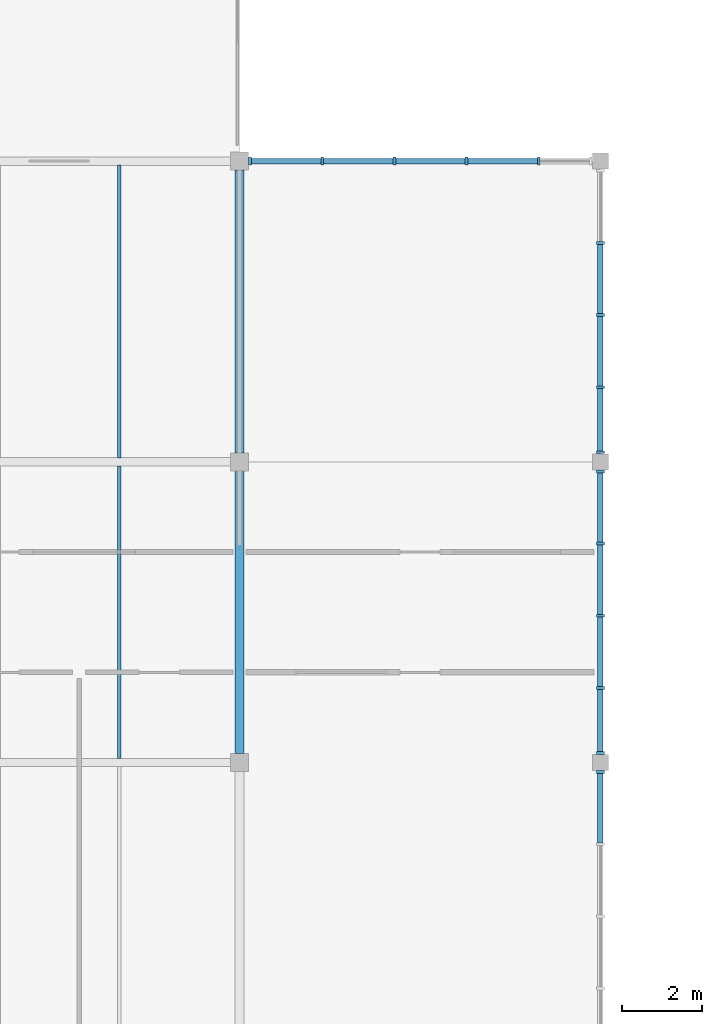
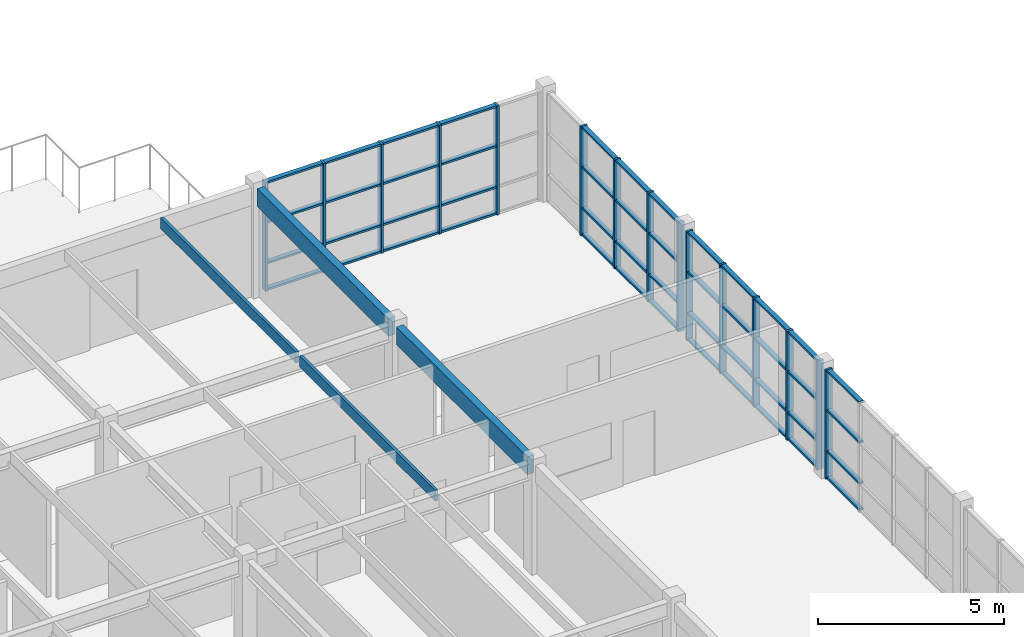
# One storey, part 6 of 45: 63 members, 4 beams, 4 elements without a shape of their own.
"""IFC4 building model written with IfcOpenShell, lengths in metres."""

from ifc_helpers import new_model, si_unit, direction, frame, origin, origin_2d, place, context, subcontext, project, spatial, rectangle, extrude, material, layer, layer_set, material_profile, profile_set, type_object, element, aggregate, save


model = new_model("IFC4")

# Units and contexts
model_context = context("Model", 3, precision=1e-05, world=origin(), true_north=direction((0.0, 1.0)))
body_context = subcontext(model_context, "Body", "Model", "MODEL_VIEW")
ifc_project = project(units=[si_unit("LENGTHUNIT", "METRE"), si_unit("AREAUNIT", "SQUARE_METRE"), si_unit("VOLUMEUNIT", "CUBIC_METRE"), si_unit("PLANEANGLEUNIT", "RADIAN"), si_unit("MASSUNIT", "GRAM", prefix="KILO")], contexts=[model_context])

# Site, building, storey
site_placement = place(None, origin())
site = spatial("IfcSite", under=ifc_project, at=site_placement, CompositionType="ELEMENT")
building_placement = place(site_placement, origin())
building = spatial("IfcBuilding", under=site, at=building_placement, Name="Marnridge Secondary College", CompositionType="ELEMENT")
storey_placement = place(building_placement, frame((0.0, 0.0, 12.300048828125)))
storey = spatial("IfcBuildingStorey", under=building, at=storey_placement, Name="L03", CompositionType="ELEMENT", Elevation=12.300048828125)

# Beams
ifc_material_1 = material(Name="Glulam timber GL18", Category="wood")
ifc_material_profile_1 = material_profile(ifc_material_1, rectangle(XDim=0.215087890625, YDim=0.5849609375, at=origin_2d()), Name="GL18 215x585")
ifc_profile_set_1 = profile_set([ifc_material_profile_1], Name="Glulam timber GL18")
beam_type_1 = type_object("IfcBeamType", Name="BM-GL585-EXT", PredefinedType="SPANDREL", material=ifc_profile_set_1)
for number, where, z_axis, x_axis, name in (
    (1, (36.0, 15.218994140625, 3.29736328125), (0.0, 1.0, 0.0), (-1.0, 0.0, 0.0), "Beam BS-L03-1146"),
    (2, (36.0, 22.718994140625, 3.29736328125), (0.0, 1.0, 0.0), (-1.0, 0.0, 0.0), "Beam BS-L03-1148"),
):
    element("IfcBeam", number, at=place(storey_placement, frame(where, z_axis=z_axis, x_axis=x_axis)), inside=storey, type_object=beam_type_1, Name=name, PredefinedType="SPANDREL", context=body_context, shape_type="SweptSolid", body=[
        extrude(rectangle(XDim=0.215087890625, YDim=0.5849609375, at=origin_2d()), origin(), (0.0, 0.0, 1.0), 7.06201171875),
    ])
ifc_material_2 = material(Name="Engineered timber LVL E13.2", Category="wood")
ifc_material_profile_2 = material_profile(ifc_material_2, rectangle(XDim=0.090087890625, YDim=0.360107421875, at=origin_2d()), Name="LVL 90x360")
ifc_profile_set_2 = profile_set([ifc_material_profile_2], Name="Engineered timber LVL E13.2")
beam_type_2 = type_object("IfcBeamType", Name="BM-LVL360-INT", PredefinedType="JOIST", material=ifc_profile_set_2)
beam_1_placement = place(storey_placement, frame((33.0, 15.098388671875, 3.409912109375), z_axis=(0.0, 1.0, 0.0), x_axis=(-1.0, 0.0, 0.0)))
element("IfcBeam", 3, at=beam_1_placement, inside=storey, type_object=beam_type_2, Name="Beam BJ-L03-1180", PredefinedType="JOIST", context=body_context, shape_type="SweptSolid", body=[
    extrude(rectangle(XDim=0.090087890625, YDim=0.360107421875, at=origin_2d()), origin(), (0.0, 0.0, 1.0), 7.30322265625),
])
beam_2_placement = place(storey_placement, frame((33.0, 22.598388671875, 3.409912109375), z_axis=(0.0, 1.0, 0.0), x_axis=(-1.0, 0.0, 0.0)))
element("IfcBeam", 4, at=beam_2_placement, inside=storey, type_object=beam_type_2, Name="Beam BJ-L03-1182", PredefinedType="JOIST", context=body_context, shape_type="SweptSolid", body=[
    extrude(rectangle(XDim=0.090087890625, YDim=0.360107421875, at=origin_2d()), origin(), (0.0, 0.0, 1.0), 7.300048828125),
])

# Curtain wall, members
ifc_material_3 = material(Name="Bronze-anodised aluminium and solar-control glazing", Category="aluminium")
ifc_layer = layer(ifc_material_3, 0.199951171875)
ifc_layer_set = layer_set([ifc_layer], Name="CW-MOD-1800")
curtain_wall_type = type_object("IfcCurtainWallType", Name="CW-MOD-1800", PredefinedType="NOTDEFINED", material=ifc_layer_set)
curtain_wall_1_placement = place(storey_placement, origin())
curtain_wall_1 = element("IfcCurtainWall", 5, at=curtain_wall_1_placement, inside=storey, type_object=curtain_wall_type, Name="Unitised curtain wall CW-L03-129", PredefinedType="NOTDEFINED")
ifc_material_4 = material(Name="Bronze-anodised aluminium 6063-T6", Category="aluminium")
ifc_material_profile_3 = material_profile(ifc_material_4, rectangle(XDim=0.070068359375, YDim=0.199951171875, at=origin_2d()), Name="ALU 70x200")
ifc_profile_set_3 = profile_set([ifc_material_profile_3], Name="Bronze-anodised aluminium 6063-T6")
member_type_1 = type_object("IfcMemberType", Name="CWM-ALU200", PredefinedType="MULLION", material=ifc_profile_set_3)
member_1_placement = place(storey_placement, frame((36.263916015625, 30.0, 0.0), z_axis=(0.0, 0.0, 1.0), x_axis=(1.0, 0.0, 0.0)))
member_1 = element("IfcMember", 6, at=member_1_placement, type_object=member_type_1, Name="CW-L03-129 mullion 1", PredefinedType="MULLION", context=body_context, shape_type="SweptSolid", body=[
    extrude(rectangle(XDim=0.070068359375, YDim=0.199951171875, at=origin_2d()), origin(), (0.0, 0.0, 1.0), 3.58984375),
])
member_2_placement = place(storey_placement, frame((38.06396484375, 30.0, 0.0), z_axis=(0.0, 0.0, 1.0), x_axis=(1.0, 0.0, 0.0)))
member_2 = element("IfcMember", 7, at=member_2_placement, type_object=member_type_1, Name="CW-L03-129 mullion 2", PredefinedType="MULLION", context=body_context, shape_type="SweptSolid", body=[
    extrude(rectangle(XDim=0.070068359375, YDim=0.199951171875, at=origin_2d()), origin(), (0.0, 0.0, 1.0), 3.58984375),
])
member_3_placement = place(storey_placement, frame((39.864013671875, 30.0, 0.0), z_axis=(0.0, 0.0, 1.0), x_axis=(1.0, 0.0, 0.0)))
member_3 = element("IfcMember", 8, at=member_3_placement, type_object=member_type_1, Name="CW-L03-129 mullion 3", PredefinedType="MULLION", context=body_context, shape_type="SweptSolid", body=[
    extrude(rectangle(XDim=0.070068359375, YDim=0.199951171875, at=origin_2d()), origin(), (0.0, 0.0, 1.0), 3.58984375),
])
member_4_placement = place(storey_placement, frame((41.6640625, 30.0, 0.0), z_axis=(0.0, 0.0, 1.0), x_axis=(1.0, 0.0, 0.0)))
member_4 = element("IfcMember", 9, at=member_4_placement, type_object=member_type_1, Name="CW-L03-129 mullion 4", PredefinedType="MULLION", context=body_context, shape_type="SweptSolid", body=[
    extrude(rectangle(XDim=0.070068359375, YDim=0.199951171875, at=origin_2d()), origin(), (0.0, 0.0, 1.0), 3.58984375),
])
member_5_placement = place(storey_placement, frame((43.464111328125, 30.0, 0.0), z_axis=(0.0, 0.0, 1.0), x_axis=(1.0, 0.0, 0.0)))
member_5 = element("IfcMember", 10, at=member_5_placement, type_object=member_type_1, Name="CW-L03-129 mullion 5", PredefinedType="MULLION", context=body_context, shape_type="SweptSolid", body=[
    extrude(rectangle(XDim=0.070068359375, YDim=0.199951171875, at=origin_2d()), origin(), (0.0, 0.0, 1.0), 3.58984375),
])

curtain_wall_2_placement = place(storey_placement, origin())
curtain_wall_2 = element("IfcCurtainWall", 11, at=curtain_wall_2_placement, inside=storey, type_object=curtain_wall_type, Name="Unitised curtain wall CW-L03-130", PredefinedType="NOTDEFINED")
member_6_placement = place(storey_placement, frame((45.0, 27.9609375, 0.0), z_axis=(0.0, 0.0, 1.0), x_axis=(0.0, -1.0, 0.0)))
member_6 = element("IfcMember", 12, at=member_6_placement, type_object=member_type_1, Name="CW-L03-130 mullion 2", PredefinedType="MULLION", context=body_context, shape_type="SweptSolid", body=[
    extrude(rectangle(XDim=0.070068359375, YDim=0.199951171875, at=origin_2d()), origin(), (0.0, 0.0, 1.0), 3.58984375),
])
member_7_placement = place(storey_placement, frame((45.0, 26.160888671875, 0.0), z_axis=(0.0, 0.0, 1.0), x_axis=(0.0, -1.0, 0.0)))
member_7 = element("IfcMember", 13, at=member_7_placement, type_object=member_type_1, Name="CW-L03-130 mullion 3", PredefinedType="MULLION", context=body_context, shape_type="SweptSolid", body=[
    extrude(rectangle(XDim=0.070068359375, YDim=0.199951171875, at=origin_2d()), origin(), (0.0, 0.0, 1.0), 3.58984375),
])
member_8_placement = place(storey_placement, frame((45.0, 24.361083984375, 0.0), z_axis=(0.0, 0.0, 1.0), x_axis=(0.0, -1.0, 0.0)))
member_8 = element("IfcMember", 14, at=member_8_placement, type_object=member_type_1, Name="CW-L03-130 mullion 4", PredefinedType="MULLION", context=body_context, shape_type="SweptSolid", body=[
    extrude(rectangle(XDim=0.070068359375, YDim=0.199951171875, at=origin_2d()), origin(), (0.0, 0.0, 1.0), 3.58984375),
])
member_9_placement = place(storey_placement, frame((45.0, 22.739013671875, 0.0), z_axis=(0.0, 0.0, 1.0), x_axis=(0.0, -1.0, 0.0)))
member_9 = element("IfcMember", 15, at=member_9_placement, type_object=member_type_1, Name="CW-L03-130 mullion 5", PredefinedType="MULLION", context=body_context, shape_type="SweptSolid", body=[
    extrude(rectangle(XDim=0.070068359375, YDim=0.199951171875, at=origin_2d()), origin(), (0.0, 0.0, 1.0), 3.58984375),
])

curtain_wall_3_placement = place(storey_placement, origin())
curtain_wall_3 = element("IfcCurtainWall", 16, at=curtain_wall_3_placement, inside=storey, type_object=curtain_wall_type, Name="Unitised curtain wall CW-L03-131", PredefinedType="NOTDEFINED")
member_10_placement = place(storey_placement, frame((45.0, 22.260986328125, 0.0), z_axis=(0.0, 0.0, 1.0), x_axis=(0.0, -1.0, 0.0)))
member_10 = element("IfcMember", 17, at=member_10_placement, type_object=member_type_1, Name="CW-L03-131 mullion 1", PredefinedType="MULLION", context=body_context, shape_type="SweptSolid", body=[
    extrude(rectangle(XDim=0.070068359375, YDim=0.199951171875, at=origin_2d()), origin(), (0.0, 0.0, 1.0), 3.58984375),
])
member_11_placement = place(storey_placement, frame((45.0, 20.4609375, 0.0), z_axis=(0.0, 0.0, 1.0), x_axis=(0.0, -1.0, 0.0)))
member_11 = element("IfcMember", 18, at=member_11_placement, type_object=member_type_1, Name="CW-L03-131 mullion 2", PredefinedType="MULLION", context=body_context, shape_type="SweptSolid", body=[
    extrude(rectangle(XDim=0.070068359375, YDim=0.199951171875, at=origin_2d()), origin(), (0.0, 0.0, 1.0), 3.58984375),
])
member_12_placement = place(storey_placement, frame((45.0, 18.660888671875, 0.0), z_axis=(0.0, 0.0, 1.0), x_axis=(0.0, -1.0, 0.0)))
member_12 = element("IfcMember", 19, at=member_12_placement, type_object=member_type_1, Name="CW-L03-131 mullion 3", PredefinedType="MULLION", context=body_context, shape_type="SweptSolid", body=[
    extrude(rectangle(XDim=0.070068359375, YDim=0.199951171875, at=origin_2d()), origin(), (0.0, 0.0, 1.0), 3.58984375),
])
member_13_placement = place(storey_placement, frame((45.0, 16.861083984375, 0.0), z_axis=(0.0, 0.0, 1.0), x_axis=(0.0, -1.0, 0.0)))
member_13 = element("IfcMember", 20, at=member_13_placement, type_object=member_type_1, Name="CW-L03-131 mullion 4", PredefinedType="MULLION", context=body_context, shape_type="SweptSolid", body=[
    extrude(rectangle(XDim=0.070068359375, YDim=0.199951171875, at=origin_2d()), origin(), (0.0, 0.0, 1.0), 3.58984375),
])
member_14_placement = place(storey_placement, frame((45.0, 15.239013671875, 0.0), z_axis=(0.0, 0.0, 1.0), x_axis=(0.0, -1.0, 0.0)))
member_14 = element("IfcMember", 21, at=member_14_placement, type_object=member_type_1, Name="CW-L03-131 mullion 5", PredefinedType="MULLION", context=body_context, shape_type="SweptSolid", body=[
    extrude(rectangle(XDim=0.070068359375, YDim=0.199951171875, at=origin_2d()), origin(), (0.0, 0.0, 1.0), 3.58984375),
])

# Curtain wall, member
curtain_wall_4_placement = place(storey_placement, origin())
curtain_wall_4 = element("IfcCurtainWall", 22, at=curtain_wall_4_placement, inside=storey, type_object=curtain_wall_type, Name="Unitised curtain wall CW-L03-132", PredefinedType="NOTDEFINED")
member_15_placement = place(storey_placement, frame((45.0, 14.760986328125, 0.0), z_axis=(0.0, 0.0, 1.0), x_axis=(0.0, -1.0, 0.0)))
member_15 = element("IfcMember", 23, at=member_15_placement, type_object=member_type_1, Name="CW-L03-132 mullion 1", PredefinedType="MULLION", context=body_context, shape_type="SweptSolid", body=[
    extrude(rectangle(XDim=0.070068359375, YDim=0.199951171875, at=origin_2d()), origin(), (0.0, 0.0, 1.0), 3.58984375),
])

# Member
ifc_material_5 = material(Name="Anodised aluminium 6063-T6", Category="aluminium")
ifc_material_profile_4 = material_profile(ifc_material_5, rectangle(XDim=0.06494140625, YDim=0.139892578125, at=origin_2d()), Name="ALU 65x140")
ifc_profile_set_4 = profile_set([ifc_material_profile_4], Name="Anodised aluminium 6063-T6")
member_type_2 = type_object("IfcMemberType", Name="CWT-ALU140", PredefinedType="USERDEFINED", material=ifc_profile_set_4)
member_16_placement = place(storey_placement, frame((36.299072265625, 30.0, 0.032470703125), z_axis=(1.0, 0.0, 0.0), x_axis=(0.0, 0.0, 1.0)))
member_16 = element("IfcMember", 24, at=member_16_placement, type_object=member_type_2, Name="CW-L03-129 transom 1.1", ObjectType="TRANSOM", PredefinedType="USERDEFINED", context=body_context, shape_type="SweptSolid", body=[
    extrude(rectangle(XDim=0.06494140625, YDim=0.139892578125, at=origin_2d()), origin(), (0.0, 0.0, 1.0), 1.72998046875),
])

member_17_placement = place(storey_placement, frame((36.299072265625, 30.0, 0.89990234375), z_axis=(1.0, 0.0, 0.0), x_axis=(0.0, 0.0, 1.0)))
member_17 = element("IfcMember", 25, at=member_17_placement, type_object=member_type_2, Name="CW-L03-129 transom 1.2", ObjectType="TRANSOM", PredefinedType="USERDEFINED", context=body_context, shape_type="SweptSolid", body=[
    extrude(rectangle(XDim=0.06494140625, YDim=0.139892578125, at=origin_2d()), origin(), (0.0, 0.0, 1.0), 1.72998046875),
])

member_18_placement = place(storey_placement, frame((36.299072265625, 30.0, 2.25), z_axis=(1.0, 0.0, 0.0), x_axis=(0.0, 0.0, 1.0)))
member_18 = element("IfcMember", 26, at=member_18_placement, type_object=member_type_2, Name="CW-L03-129 transom 1.3", ObjectType="TRANSOM", PredefinedType="USERDEFINED", context=body_context, shape_type="SweptSolid", body=[
    extrude(rectangle(XDim=0.06494140625, YDim=0.139892578125, at=origin_2d()), origin(), (0.0, 0.0, 1.0), 1.72998046875),
])

member_19_placement = place(storey_placement, frame((36.299072265625, 30.0, 3.557373046875), z_axis=(1.0, 0.0, 0.0), x_axis=(0.0, 0.0, 1.0)))
member_19 = element("IfcMember", 27, at=member_19_placement, type_object=member_type_2, Name="CW-L03-129 transom 1.4", ObjectType="TRANSOM", PredefinedType="USERDEFINED", context=body_context, shape_type="SweptSolid", body=[
    extrude(rectangle(XDim=0.06494140625, YDim=0.139892578125, at=origin_2d()), origin(), (0.0, 0.0, 1.0), 1.72998046875),
])

member_20_placement = place(storey_placement, frame((38.09912109375, 30.0, 0.032470703125), z_axis=(1.0, 0.0, 0.0), x_axis=(0.0, 0.0, 1.0)))
member_20 = element("IfcMember", 28, at=member_20_placement, type_object=member_type_2, Name="CW-L03-129 transom 2.1", ObjectType="TRANSOM", PredefinedType="USERDEFINED", context=body_context, shape_type="SweptSolid", body=[
    extrude(rectangle(XDim=0.06494140625, YDim=0.139892578125, at=origin_2d()), origin(), (0.0, 0.0, 1.0), 1.72998046875),
])

member_21_placement = place(storey_placement, frame((38.09912109375, 30.0, 0.89990234375), z_axis=(1.0, 0.0, 0.0), x_axis=(0.0, 0.0, 1.0)))
member_21 = element("IfcMember", 29, at=member_21_placement, type_object=member_type_2, Name="CW-L03-129 transom 2.2", ObjectType="TRANSOM", PredefinedType="USERDEFINED", context=body_context, shape_type="SweptSolid", body=[
    extrude(rectangle(XDim=0.06494140625, YDim=0.139892578125, at=origin_2d()), origin(), (0.0, 0.0, 1.0), 1.72998046875),
])

member_22_placement = place(storey_placement, frame((38.09912109375, 30.0, 2.25), z_axis=(1.0, 0.0, 0.0), x_axis=(0.0, 0.0, 1.0)))
member_22 = element("IfcMember", 30, at=member_22_placement, type_object=member_type_2, Name="CW-L03-129 transom 2.3", ObjectType="TRANSOM", PredefinedType="USERDEFINED", context=body_context, shape_type="SweptSolid", body=[
    extrude(rectangle(XDim=0.06494140625, YDim=0.139892578125, at=origin_2d()), origin(), (0.0, 0.0, 1.0), 1.72998046875),
])

member_23_placement = place(storey_placement, frame((38.09912109375, 30.0, 3.557373046875), z_axis=(1.0, 0.0, 0.0), x_axis=(0.0, 0.0, 1.0)))
member_23 = element("IfcMember", 31, at=member_23_placement, type_object=member_type_2, Name="CW-L03-129 transom 2.4", ObjectType="TRANSOM", PredefinedType="USERDEFINED", context=body_context, shape_type="SweptSolid", body=[
    extrude(rectangle(XDim=0.06494140625, YDim=0.139892578125, at=origin_2d()), origin(), (0.0, 0.0, 1.0), 1.72998046875),
])

member_24_placement = place(storey_placement, frame((39.89892578125, 30.0, 0.032470703125), z_axis=(1.0, 0.0, 0.0), x_axis=(0.0, 0.0, 1.0)))
member_24 = element("IfcMember", 32, at=member_24_placement, type_object=member_type_2, Name="CW-L03-129 transom 3.1", ObjectType="TRANSOM", PredefinedType="USERDEFINED", context=body_context, shape_type="SweptSolid", body=[
    extrude(rectangle(XDim=0.06494140625, YDim=0.139892578125, at=origin_2d()), origin(), (0.0, 0.0, 1.0), 1.72998046875),
])

member_25_placement = place(storey_placement, frame((39.89892578125, 30.0, 0.89990234375), z_axis=(1.0, 0.0, 0.0), x_axis=(0.0, 0.0, 1.0)))
member_25 = element("IfcMember", 33, at=member_25_placement, type_object=member_type_2, Name="CW-L03-129 transom 3.2", ObjectType="TRANSOM", PredefinedType="USERDEFINED", context=body_context, shape_type="SweptSolid", body=[
    extrude(rectangle(XDim=0.06494140625, YDim=0.139892578125, at=origin_2d()), origin(), (0.0, 0.0, 1.0), 1.72998046875),
])

member_26_placement = place(storey_placement, frame((39.89892578125, 30.0, 2.25), z_axis=(1.0, 0.0, 0.0), x_axis=(0.0, 0.0, 1.0)))
member_26 = element("IfcMember", 34, at=member_26_placement, type_object=member_type_2, Name="CW-L03-129 transom 3.3", ObjectType="TRANSOM", PredefinedType="USERDEFINED", context=body_context, shape_type="SweptSolid", body=[
    extrude(rectangle(XDim=0.06494140625, YDim=0.139892578125, at=origin_2d()), origin(), (0.0, 0.0, 1.0), 1.72998046875),
])

member_27_placement = place(storey_placement, frame((39.89892578125, 30.0, 3.557373046875), z_axis=(1.0, 0.0, 0.0), x_axis=(0.0, 0.0, 1.0)))
member_27 = element("IfcMember", 35, at=member_27_placement, type_object=member_type_2, Name="CW-L03-129 transom 3.4", ObjectType="TRANSOM", PredefinedType="USERDEFINED", context=body_context, shape_type="SweptSolid", body=[
    extrude(rectangle(XDim=0.06494140625, YDim=0.139892578125, at=origin_2d()), origin(), (0.0, 0.0, 1.0), 1.72998046875),
])

member_28_placement = place(storey_placement, frame((41.698974609375, 30.0, 0.032470703125), z_axis=(1.0, 0.0, 0.0), x_axis=(0.0, 0.0, 1.0)))
member_28 = element("IfcMember", 36, at=member_28_placement, type_object=member_type_2, Name="CW-L03-129 transom 4.1", ObjectType="TRANSOM", PredefinedType="USERDEFINED", context=body_context, shape_type="SweptSolid", body=[
    extrude(rectangle(XDim=0.06494140625, YDim=0.139892578125, at=origin_2d()), origin(), (0.0, 0.0, 1.0), 1.72998046875),
])

member_29_placement = place(storey_placement, frame((41.698974609375, 30.0, 0.89990234375), z_axis=(1.0, 0.0, 0.0), x_axis=(0.0, 0.0, 1.0)))
member_29 = element("IfcMember", 37, at=member_29_placement, type_object=member_type_2, Name="CW-L03-129 transom 4.2", ObjectType="TRANSOM", PredefinedType="USERDEFINED", context=body_context, shape_type="SweptSolid", body=[
    extrude(rectangle(XDim=0.06494140625, YDim=0.139892578125, at=origin_2d()), origin(), (0.0, 0.0, 1.0), 1.72998046875),
])

member_30_placement = place(storey_placement, frame((41.698974609375, 30.0, 2.25), z_axis=(1.0, 0.0, 0.0), x_axis=(0.0, 0.0, 1.0)))
member_30 = element("IfcMember", 38, at=member_30_placement, type_object=member_type_2, Name="CW-L03-129 transom 4.3", ObjectType="TRANSOM", PredefinedType="USERDEFINED", context=body_context, shape_type="SweptSolid", body=[
    extrude(rectangle(XDim=0.06494140625, YDim=0.139892578125, at=origin_2d()), origin(), (0.0, 0.0, 1.0), 1.72998046875),
])

member_31_placement = place(storey_placement, frame((41.698974609375, 30.0, 3.557373046875), z_axis=(1.0, 0.0, 0.0), x_axis=(0.0, 0.0, 1.0)))
member_31 = element("IfcMember", 39, at=member_31_placement, type_object=member_type_2, Name="CW-L03-129 transom 4.4", ObjectType="TRANSOM", PredefinedType="USERDEFINED", context=body_context, shape_type="SweptSolid", body=[
    extrude(rectangle(XDim=0.06494140625, YDim=0.139892578125, at=origin_2d()), origin(), (0.0, 0.0, 1.0), 1.72998046875),
])

aggregate(curtain_wall_1, [member_1, member_2, member_3, member_4, member_5, member_16, member_17, member_18, member_19, member_20, member_21, member_22, member_23, member_24, member_25, member_26, member_27, member_28, member_29, member_30, member_31])

member_32_placement = place(storey_placement, frame((45.0, 27.926025390625, 0.032470703125), z_axis=(0.0, -1.0, 0.0), x_axis=(0.0, 0.0, 1.0)))
member_32 = element("IfcMember", 40, at=member_32_placement, type_object=member_type_2, Name="CW-L03-130 transom 2.1", ObjectType="TRANSOM", PredefinedType="USERDEFINED", context=body_context, shape_type="SweptSolid", body=[
    extrude(rectangle(XDim=0.06494140625, YDim=0.139892578125, at=origin_2d()), origin(), (0.0, 0.0, 1.0), 1.72998046875),
])

member_33_placement = place(storey_placement, frame((45.0, 27.926025390625, 0.89990234375), z_axis=(0.0, -1.0, 0.0), x_axis=(0.0, 0.0, 1.0)))
member_33 = element("IfcMember", 41, at=member_33_placement, type_object=member_type_2, Name="CW-L03-130 transom 2.2", ObjectType="TRANSOM", PredefinedType="USERDEFINED", context=body_context, shape_type="SweptSolid", body=[
    extrude(rectangle(XDim=0.06494140625, YDim=0.139892578125, at=origin_2d()), origin(), (0.0, 0.0, 1.0), 1.72998046875),
])

member_34_placement = place(storey_placement, frame((45.0, 27.926025390625, 2.25), z_axis=(0.0, -1.0, 0.0), x_axis=(0.0, 0.0, 1.0)))
member_34 = element("IfcMember", 42, at=member_34_placement, type_object=member_type_2, Name="CW-L03-130 transom 2.3", ObjectType="TRANSOM", PredefinedType="USERDEFINED", context=body_context, shape_type="SweptSolid", body=[
    extrude(rectangle(XDim=0.06494140625, YDim=0.139892578125, at=origin_2d()), origin(), (0.0, 0.0, 1.0), 1.72998046875),
])

member_35_placement = place(storey_placement, frame((45.0, 27.926025390625, 3.557373046875), z_axis=(0.0, -1.0, 0.0), x_axis=(0.0, 0.0, 1.0)))
member_35 = element("IfcMember", 43, at=member_35_placement, type_object=member_type_2, Name="CW-L03-130 transom 2.4", ObjectType="TRANSOM", PredefinedType="USERDEFINED", context=body_context, shape_type="SweptSolid", body=[
    extrude(rectangle(XDim=0.06494140625, YDim=0.139892578125, at=origin_2d()), origin(), (0.0, 0.0, 1.0), 1.72998046875),
])

member_36_placement = place(storey_placement, frame((45.0, 26.1259765625, 0.032470703125), z_axis=(0.0, -1.0, 0.0), x_axis=(0.0, 0.0, 1.0)))
member_36 = element("IfcMember", 44, at=member_36_placement, type_object=member_type_2, Name="CW-L03-130 transom 3.1", ObjectType="TRANSOM", PredefinedType="USERDEFINED", context=body_context, shape_type="SweptSolid", body=[
    extrude(rectangle(XDim=0.06494140625, YDim=0.139892578125, at=origin_2d()), origin(), (0.0, 0.0, 1.0), 1.72998046875),
])

member_37_placement = place(storey_placement, frame((45.0, 26.1259765625, 0.89990234375), z_axis=(0.0, -1.0, 0.0), x_axis=(0.0, 0.0, 1.0)))
member_37 = element("IfcMember", 45, at=member_37_placement, type_object=member_type_2, Name="CW-L03-130 transom 3.2", ObjectType="TRANSOM", PredefinedType="USERDEFINED", context=body_context, shape_type="SweptSolid", body=[
    extrude(rectangle(XDim=0.06494140625, YDim=0.139892578125, at=origin_2d()), origin(), (0.0, 0.0, 1.0), 1.72998046875),
])

member_38_placement = place(storey_placement, frame((45.0, 26.1259765625, 2.25), z_axis=(0.0, -1.0, 0.0), x_axis=(0.0, 0.0, 1.0)))
member_38 = element("IfcMember", 46, at=member_38_placement, type_object=member_type_2, Name="CW-L03-130 transom 3.3", ObjectType="TRANSOM", PredefinedType="USERDEFINED", context=body_context, shape_type="SweptSolid", body=[
    extrude(rectangle(XDim=0.06494140625, YDim=0.139892578125, at=origin_2d()), origin(), (0.0, 0.0, 1.0), 1.72998046875),
])

member_39_placement = place(storey_placement, frame((45.0, 26.1259765625, 3.557373046875), z_axis=(0.0, -1.0, 0.0), x_axis=(0.0, 0.0, 1.0)))
member_39 = element("IfcMember", 47, at=member_39_placement, type_object=member_type_2, Name="CW-L03-130 transom 3.4", ObjectType="TRANSOM", PredefinedType="USERDEFINED", context=body_context, shape_type="SweptSolid", body=[
    extrude(rectangle(XDim=0.06494140625, YDim=0.139892578125, at=origin_2d()), origin(), (0.0, 0.0, 1.0), 1.72998046875),
])

member_40_placement = place(storey_placement, frame((45.0, 24.325927734375, 0.032470703125), z_axis=(0.0, -1.0, 0.0), x_axis=(0.0, 0.0, 1.0)))
member_40 = element("IfcMember", 48, at=member_40_placement, type_object=member_type_2, Name="CW-L03-130 transom 4.1", ObjectType="TRANSOM", PredefinedType="USERDEFINED", context=body_context, shape_type="SweptSolid", body=[
    extrude(rectangle(XDim=0.06494140625, YDim=0.139892578125, at=origin_2d()), origin(), (0.0, 0.0, 1.0), 1.552001953125),
])

member_41_placement = place(storey_placement, frame((45.0, 24.325927734375, 0.89990234375), z_axis=(0.0, -1.0, 0.0), x_axis=(0.0, 0.0, 1.0)))
member_41 = element("IfcMember", 49, at=member_41_placement, type_object=member_type_2, Name="CW-L03-130 transom 4.2", ObjectType="TRANSOM", PredefinedType="USERDEFINED", context=body_context, shape_type="SweptSolid", body=[
    extrude(rectangle(XDim=0.06494140625, YDim=0.139892578125, at=origin_2d()), origin(), (0.0, 0.0, 1.0), 1.552001953125),
])

member_42_placement = place(storey_placement, frame((45.0, 24.325927734375, 2.25), z_axis=(0.0, -1.0, 0.0), x_axis=(0.0, 0.0, 1.0)))
member_42 = element("IfcMember", 50, at=member_42_placement, type_object=member_type_2, Name="CW-L03-130 transom 4.3", ObjectType="TRANSOM", PredefinedType="USERDEFINED", context=body_context, shape_type="SweptSolid", body=[
    extrude(rectangle(XDim=0.06494140625, YDim=0.139892578125, at=origin_2d()), origin(), (0.0, 0.0, 1.0), 1.552001953125),
])

member_43_placement = place(storey_placement, frame((45.0, 24.325927734375, 3.557373046875), z_axis=(0.0, -1.0, 0.0), x_axis=(0.0, 0.0, 1.0)))
member_43 = element("IfcMember", 51, at=member_43_placement, type_object=member_type_2, Name="CW-L03-130 transom 4.4", ObjectType="TRANSOM", PredefinedType="USERDEFINED", context=body_context, shape_type="SweptSolid", body=[
    extrude(rectangle(XDim=0.06494140625, YDim=0.139892578125, at=origin_2d()), origin(), (0.0, 0.0, 1.0), 1.552001953125),
])

aggregate(curtain_wall_2, [member_6, member_7, member_8, member_9, member_32, member_33, member_34, member_35, member_36, member_37, member_38, member_39, member_40, member_41, member_42, member_43])

member_44_placement = place(storey_placement, frame((45.0, 22.22607421875, 0.032470703125), z_axis=(0.0, -1.0, 0.0), x_axis=(0.0, 0.0, 1.0)))
member_44 = element("IfcMember", 52, at=member_44_placement, type_object=member_type_2, Name="CW-L03-131 transom 1.1", ObjectType="TRANSOM", PredefinedType="USERDEFINED", context=body_context, shape_type="SweptSolid", body=[
    extrude(rectangle(XDim=0.06494140625, YDim=0.139892578125, at=origin_2d()), origin(), (0.0, 0.0, 1.0), 1.72998046875),
])

member_45_placement = place(storey_placement, frame((45.0, 22.22607421875, 0.89990234375), z_axis=(0.0, -1.0, 0.0), x_axis=(0.0, 0.0, 1.0)))
member_45 = element("IfcMember", 53, at=member_45_placement, type_object=member_type_2, Name="CW-L03-131 transom 1.2", ObjectType="TRANSOM", PredefinedType="USERDEFINED", context=body_context, shape_type="SweptSolid", body=[
    extrude(rectangle(XDim=0.06494140625, YDim=0.139892578125, at=origin_2d()), origin(), (0.0, 0.0, 1.0), 1.72998046875),
])

member_46_placement = place(storey_placement, frame((45.0, 22.22607421875, 2.25), z_axis=(0.0, -1.0, 0.0), x_axis=(0.0, 0.0, 1.0)))
member_46 = element("IfcMember", 54, at=member_46_placement, type_object=member_type_2, Name="CW-L03-131 transom 1.3", ObjectType="TRANSOM", PredefinedType="USERDEFINED", context=body_context, shape_type="SweptSolid", body=[
    extrude(rectangle(XDim=0.06494140625, YDim=0.139892578125, at=origin_2d()), origin(), (0.0, 0.0, 1.0), 1.72998046875),
])

member_47_placement = place(storey_placement, frame((45.0, 22.22607421875, 3.557373046875), z_axis=(0.0, -1.0, 0.0), x_axis=(0.0, 0.0, 1.0)))
member_47 = element("IfcMember", 55, at=member_47_placement, type_object=member_type_2, Name="CW-L03-131 transom 1.4", ObjectType="TRANSOM", PredefinedType="USERDEFINED", context=body_context, shape_type="SweptSolid", body=[
    extrude(rectangle(XDim=0.06494140625, YDim=0.139892578125, at=origin_2d()), origin(), (0.0, 0.0, 1.0), 1.72998046875),
])

member_48_placement = place(storey_placement, frame((45.0, 20.426025390625, 0.032470703125), z_axis=(0.0, -1.0, 0.0), x_axis=(0.0, 0.0, 1.0)))
member_48 = element("IfcMember", 56, at=member_48_placement, type_object=member_type_2, Name="CW-L03-131 transom 2.1", ObjectType="TRANSOM", PredefinedType="USERDEFINED", context=body_context, shape_type="SweptSolid", body=[
    extrude(rectangle(XDim=0.06494140625, YDim=0.139892578125, at=origin_2d()), origin(), (0.0, 0.0, 1.0), 1.72998046875),
])

member_49_placement = place(storey_placement, frame((45.0, 20.426025390625, 0.89990234375), z_axis=(0.0, -1.0, 0.0), x_axis=(0.0, 0.0, 1.0)))
member_49 = element("IfcMember", 57, at=member_49_placement, type_object=member_type_2, Name="CW-L03-131 transom 2.2", ObjectType="TRANSOM", PredefinedType="USERDEFINED", context=body_context, shape_type="SweptSolid", body=[
    extrude(rectangle(XDim=0.06494140625, YDim=0.139892578125, at=origin_2d()), origin(), (0.0, 0.0, 1.0), 1.72998046875),
])

member_50_placement = place(storey_placement, frame((45.0, 20.426025390625, 2.25), z_axis=(0.0, -1.0, 0.0), x_axis=(0.0, 0.0, 1.0)))
member_50 = element("IfcMember", 58, at=member_50_placement, type_object=member_type_2, Name="CW-L03-131 transom 2.3", ObjectType="TRANSOM", PredefinedType="USERDEFINED", context=body_context, shape_type="SweptSolid", body=[
    extrude(rectangle(XDim=0.06494140625, YDim=0.139892578125, at=origin_2d()), origin(), (0.0, 0.0, 1.0), 1.72998046875),
])

member_51_placement = place(storey_placement, frame((45.0, 20.426025390625, 3.557373046875), z_axis=(0.0, -1.0, 0.0), x_axis=(0.0, 0.0, 1.0)))
member_51 = element("IfcMember", 59, at=member_51_placement, type_object=member_type_2, Name="CW-L03-131 transom 2.4", ObjectType="TRANSOM", PredefinedType="USERDEFINED", context=body_context, shape_type="SweptSolid", body=[
    extrude(rectangle(XDim=0.06494140625, YDim=0.139892578125, at=origin_2d()), origin(), (0.0, 0.0, 1.0), 1.72998046875),
])

member_52_placement = place(storey_placement, frame((45.0, 18.6259765625, 0.032470703125), z_axis=(0.0, -1.0, 0.0), x_axis=(0.0, 0.0, 1.0)))
member_52 = element("IfcMember", 60, at=member_52_placement, type_object=member_type_2, Name="CW-L03-131 transom 3.1", ObjectType="TRANSOM", PredefinedType="USERDEFINED", context=body_context, shape_type="SweptSolid", body=[
    extrude(rectangle(XDim=0.06494140625, YDim=0.139892578125, at=origin_2d()), origin(), (0.0, 0.0, 1.0), 1.72998046875),
])

member_53_placement = place(storey_placement, frame((45.0, 18.6259765625, 0.89990234375), z_axis=(0.0, -1.0, 0.0), x_axis=(0.0, 0.0, 1.0)))
member_53 = element("IfcMember", 61, at=member_53_placement, type_object=member_type_2, Name="CW-L03-131 transom 3.2", ObjectType="TRANSOM", PredefinedType="USERDEFINED", context=body_context, shape_type="SweptSolid", body=[
    extrude(rectangle(XDim=0.06494140625, YDim=0.139892578125, at=origin_2d()), origin(), (0.0, 0.0, 1.0), 1.72998046875),
])

member_54_placement = place(storey_placement, frame((45.0, 18.6259765625, 2.25), z_axis=(0.0, -1.0, 0.0), x_axis=(0.0, 0.0, 1.0)))
member_54 = element("IfcMember", 62, at=member_54_placement, type_object=member_type_2, Name="CW-L03-131 transom 3.3", ObjectType="TRANSOM", PredefinedType="USERDEFINED", context=body_context, shape_type="SweptSolid", body=[
    extrude(rectangle(XDim=0.06494140625, YDim=0.139892578125, at=origin_2d()), origin(), (0.0, 0.0, 1.0), 1.72998046875),
])

member_55_placement = place(storey_placement, frame((45.0, 18.6259765625, 3.557373046875), z_axis=(0.0, -1.0, 0.0), x_axis=(0.0, 0.0, 1.0)))
member_55 = element("IfcMember", 63, at=member_55_placement, type_object=member_type_2, Name="CW-L03-131 transom 3.4", ObjectType="TRANSOM", PredefinedType="USERDEFINED", context=body_context, shape_type="SweptSolid", body=[
    extrude(rectangle(XDim=0.06494140625, YDim=0.139892578125, at=origin_2d()), origin(), (0.0, 0.0, 1.0), 1.72998046875),
])

member_56_placement = place(storey_placement, frame((45.0, 16.825927734375, 0.032470703125), z_axis=(0.0, -1.0, 0.0), x_axis=(0.0, 0.0, 1.0)))
member_56 = element("IfcMember", 64, at=member_56_placement, type_object=member_type_2, Name="CW-L03-131 transom 4.1", ObjectType="TRANSOM", PredefinedType="USERDEFINED", context=body_context, shape_type="SweptSolid", body=[
    extrude(rectangle(XDim=0.06494140625, YDim=0.139892578125, at=origin_2d()), origin(), (0.0, 0.0, 1.0), 1.552001953125),
])

member_57_placement = place(storey_placement, frame((45.0, 16.825927734375, 0.89990234375), z_axis=(0.0, -1.0, 0.0), x_axis=(0.0, 0.0, 1.0)))
member_57 = element("IfcMember", 65, at=member_57_placement, type_object=member_type_2, Name="CW-L03-131 transom 4.2", ObjectType="TRANSOM", PredefinedType="USERDEFINED", context=body_context, shape_type="SweptSolid", body=[
    extrude(rectangle(XDim=0.06494140625, YDim=0.139892578125, at=origin_2d()), origin(), (0.0, 0.0, 1.0), 1.552001953125),
])

member_58_placement = place(storey_placement, frame((45.0, 16.825927734375, 2.25), z_axis=(0.0, -1.0, 0.0), x_axis=(0.0, 0.0, 1.0)))
member_58 = element("IfcMember", 66, at=member_58_placement, type_object=member_type_2, Name="CW-L03-131 transom 4.3", ObjectType="TRANSOM", PredefinedType="USERDEFINED", context=body_context, shape_type="SweptSolid", body=[
    extrude(rectangle(XDim=0.06494140625, YDim=0.139892578125, at=origin_2d()), origin(), (0.0, 0.0, 1.0), 1.552001953125),
])

member_59_placement = place(storey_placement, frame((45.0, 16.825927734375, 3.557373046875), z_axis=(0.0, -1.0, 0.0), x_axis=(0.0, 0.0, 1.0)))
member_59 = element("IfcMember", 67, at=member_59_placement, type_object=member_type_2, Name="CW-L03-131 transom 4.4", ObjectType="TRANSOM", PredefinedType="USERDEFINED", context=body_context, shape_type="SweptSolid", body=[
    extrude(rectangle(XDim=0.06494140625, YDim=0.139892578125, at=origin_2d()), origin(), (0.0, 0.0, 1.0), 1.552001953125),
])

aggregate(curtain_wall_3, [member_10, member_11, member_12, member_13, member_14, member_44, member_45, member_46, member_47, member_48, member_49, member_50, member_51, member_52, member_53, member_54, member_55, member_56, member_57, member_58, member_59])

member_60_placement = place(storey_placement, frame((45.0, 14.72607421875, 0.032470703125), z_axis=(0.0, -1.0, 0.0), x_axis=(0.0, 0.0, 1.0)))
member_60 = element("IfcMember", 68, at=member_60_placement, type_object=member_type_2, Name="CW-L03-132 transom 1.1", ObjectType="TRANSOM", PredefinedType="USERDEFINED", context=body_context, shape_type="SweptSolid", body=[
    extrude(rectangle(XDim=0.06494140625, YDim=0.139892578125, at=origin_2d()), origin(), (0.0, 0.0, 1.0), 1.72998046875),
])

member_61_placement = place(storey_placement, frame((45.0, 14.72607421875, 0.89990234375), z_axis=(0.0, -1.0, 0.0), x_axis=(0.0, 0.0, 1.0)))
member_61 = element("IfcMember", 69, at=member_61_placement, type_object=member_type_2, Name="CW-L03-132 transom 1.2", ObjectType="TRANSOM", PredefinedType="USERDEFINED", context=body_context, shape_type="SweptSolid", body=[
    extrude(rectangle(XDim=0.06494140625, YDim=0.139892578125, at=origin_2d()), origin(), (0.0, 0.0, 1.0), 1.72998046875),
])

member_62_placement = place(storey_placement, frame((45.0, 14.72607421875, 2.25), z_axis=(0.0, -1.0, 0.0), x_axis=(0.0, 0.0, 1.0)))
member_62 = element("IfcMember", 70, at=member_62_placement, type_object=member_type_2, Name="CW-L03-132 transom 1.3", ObjectType="TRANSOM", PredefinedType="USERDEFINED", context=body_context, shape_type="SweptSolid", body=[
    extrude(rectangle(XDim=0.06494140625, YDim=0.139892578125, at=origin_2d()), origin(), (0.0, 0.0, 1.0), 1.72998046875),
])

member_63_placement = place(storey_placement, frame((45.0, 14.72607421875, 3.557373046875), z_axis=(0.0, -1.0, 0.0), x_axis=(0.0, 0.0, 1.0)))
member_63 = element("IfcMember", 71, at=member_63_placement, type_object=member_type_2, Name="CW-L03-132 transom 1.4", ObjectType="TRANSOM", PredefinedType="USERDEFINED", context=body_context, shape_type="SweptSolid", body=[
    extrude(rectangle(XDim=0.06494140625, YDim=0.139892578125, at=origin_2d()), origin(), (0.0, 0.0, 1.0), 1.72998046875),
])

aggregate(curtain_wall_4, [member_15, member_60, member_61, member_62, member_63])

save(model, "model.ifc")
